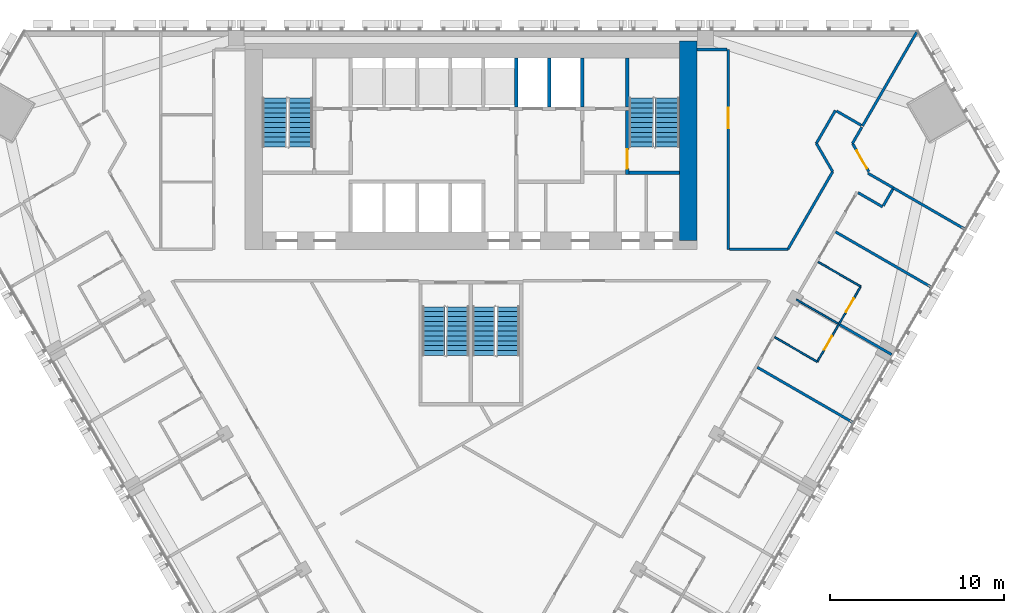
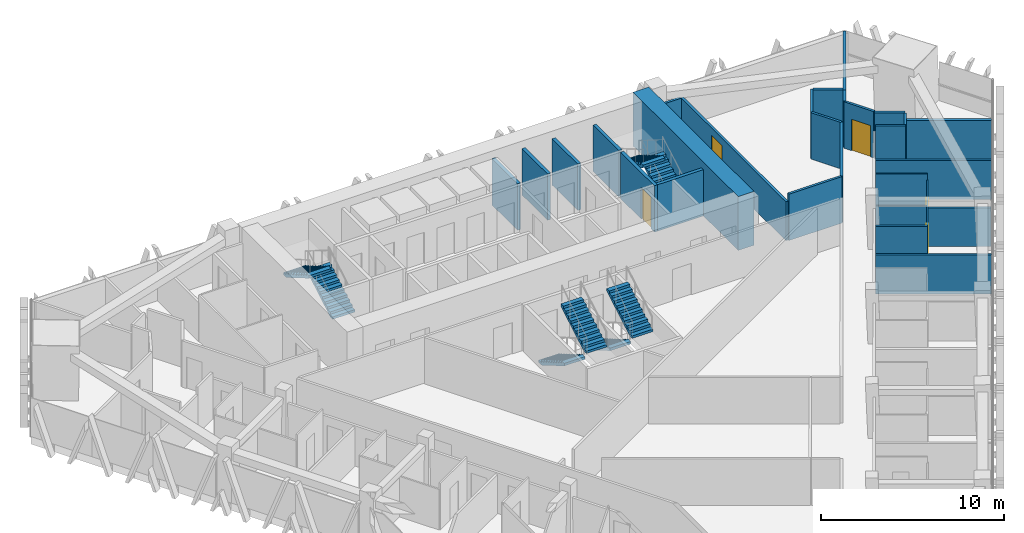
# One storey, part 13 of 17: 28 walls, 8 stair flights, 5 doors, 5 openings, 4 elements without a shape of their own.
"""IFC4 building model written with IfcOpenShell, lengths in metres."""

from ifc_helpers import new_model, si_unit, direction, frame, frame_2d, origin, place, context, subcontext, project, spatial, polyline, rectangle, outline, extrude, material, layer, layer_set, type_object, element, fill, aggregate, save


model = new_model("IFC4")

# Units and contexts
model_context = context("Model", 3, precision=1e-05, world=origin(), true_north=direction((0.0, 1.0)))
body_context = subcontext(model_context, "Body", "Model", "MODEL_VIEW")
ifc_project = project(units=[si_unit("LENGTHUNIT", "METRE"), si_unit("AREAUNIT", "SQUARE_METRE"), si_unit("VOLUMEUNIT", "CUBIC_METRE"), si_unit("PLANEANGLEUNIT", "RADIAN"), si_unit("MASSUNIT", "GRAM", prefix="KILO")], contexts=[model_context])

# Site, building, storey
site_placement = place(None, origin())
site = spatial("IfcSite", under=ifc_project, at=site_placement, CompositionType="ELEMENT")
building_placement = place(site_placement, origin())
building = spatial("IfcBuilding", under=site, at=building_placement, Name="Altiplano Prism Tower", CompositionType="ELEMENT")
storey_placement = place(building_placement, frame((0.0, 0.0, 55.800048828125)))
storey = spatial("IfcBuildingStorey", under=building, at=storey_placement, Name="L13", CompositionType="ELEMENT", Elevation=55.800048828125)

# Walls
ifc_material_1 = material(Name="Concrete C70/85", Category="concrete")
ifc_layer_1 = layer(ifc_material_1, 1.0)
ifc_layer_set_1 = layer_set([ifc_layer_1], Name="Concrete C70/85")
wall_type_1 = type_object("IfcWallType", Name="Core wall 1000", PredefinedType="SHEAR", material=ifc_layer_set_1)
wall_1_placement = place(storey_placement, frame((97.5, 92.89990234375, 0.0), z_axis=(0.0, 0.0, 1.0), x_axis=(0.0, 1.0, 0.0)))
element("IfcWall", 1, at=wall_1_placement, inside=storey, type_object=wall_type_1, Name="Core wall E L13", PredefinedType="SHEAR", context=body_context, shape_type="SweptSolid", body=[
    extrude(rectangle(XDim=11.5, YDim=1.0, at=frame_2d((5.75, 0.0))), origin(), (0.0, 0.0, 1.0), 3.599853515625),
])
ifc_material_2 = material(Name="Plasterboard on steel stud", Category="steel")
ifc_layer_2 = layer(ifc_material_2, 0.10009765625)
ifc_layer_set_2 = layer_set([ifc_layer_2], Name="Plasterboard on steel stud")
wall_type_2 = type_object("IfcWallType", Name="Partition 100 unit", PredefinedType="PARTITIONING", material=ifc_layer_set_2)
for number, where, z_axis, x_axis, name in (
    (2, (104.928955078125, 85.9345703125, 0.0), (0.0, 0.0, 1.0), (-0.866011447264, 0.500024172624, 0.0), "Partition P02 L13 102"),
    (3, (104.982421875, 91.67724609375, 0.0), (0.0, 0.0, 1.0), (0.866048868473, -0.499959355765, 0.0), "Partition P02 L13 105"),
):
    element("IfcWall", number, at=place(storey_placement, frame(where, z_axis=z_axis, x_axis=x_axis)), inside=storey, type_object=wall_type_2, Name=name, PredefinedType="PARTITIONING", context=body_context, shape_type="SweptSolid", body=[
        extrude(rectangle(XDim=2.824951171875, YDim=0.10009765625, at=frame_2d((1.41259765625, 0.0))), origin(), (0.0, 0.0, 1.0), 3.099853515625),
    ])

# Wall, openings, doors
wall_2_placement = place(storey_placement, frame((107.428955078125, 90.264892578125, 0.0), z_axis=(0.0, 0.0, 1.0), x_axis=(-0.499983091616, -0.866035165624, 0.0)))
wall_2 = element("IfcWall", 4, at=wall_2_placement, inside=storey, type_object=wall_type_2, Name="Partition P02 L13 106", PredefinedType="PARTITIONING", context=body_context, shape_type="SweptSolid", body=[
    extrude(rectangle(XDim=5.000244140625, YDim=0.10009765625, at=frame_2d((2.5, 0.0))), origin(), (0.0, 0.0, 1.0), 2.699951171875),
])
opening_1_placement = place(wall_2_placement, frame((3.300048828125, 0.0, 0.0)))
opening_1 = element("IfcOpeningElement", 5, at=opening_1_placement, cuts=wall_2, Name="Opening D0558", PredefinedType="OPENING", context=body_context, shape_type="SweptSolid", body=[
    extrude(rectangle(XDim=0.89990234375, YDim=2.10009765625, at=frame_2d((0.449951171875, 1.050048828125))), frame((0.0, 0.060546875, 0.0), z_axis=(0.0, -1.0, 0.0), x_axis=(1.0, 0.0, 0.0)), (0.0, 0.0, 1.0), 0.12109375),
])
opening_2_placement = place(wall_2_placement, frame((0.800048828125, 0.0, 0.0)))
opening_2 = element("IfcOpeningElement", 6, at=opening_2_placement, cuts=wall_2, Name="Opening D0560", PredefinedType="OPENING", context=body_context, shape_type="SweptSolid", body=[
    extrude(rectangle(XDim=0.89990234375, YDim=2.10009765625, at=frame_2d((0.449951171875, 1.050048828125))), frame((0.0, 0.060546875, 0.0), z_axis=(0.0, -1.0, 0.0), x_axis=(1.0, 0.0, 0.0)), (0.0, 0.0, 1.0), 0.12109375),
])
ifc_material_3 = material(Name="Timber", Category="wood")
door_type_1 = type_object("IfcDoorType", Name="Ensuite door 900 x 2100", OperationType="NOTDEFINED", PredefinedType="NOTDEFINED", material=ifc_material_3)
door_1_placement = place(opening_1_placement, origin())
door_1 = element("IfcDoor", 7, at=door_1_placement, inside=storey, type_object=door_type_1, Name="Door D0558", OperationType="SINGLE_SWING_LEFT", OverallHeight=2.10009765625, OverallWidth=0.89990234375, PredefinedType="NOTDEFINED", context=body_context, shape_type="SweptSolid", body=[
    extrude(rectangle(XDim=0.89990234375, YDim=2.10009765625, at=frame_2d((0.449951171875, 1.050048828125))), frame((0.0, 0.02490234375, 0.0), z_axis=(0.0, -1.0, 0.0), x_axis=(1.0, 0.0, 0.0)), (0.0, 0.0, 1.0), 0.050048828125),
])
fill(opening_1, door_1)
door_2_placement = place(opening_2_placement, origin())
door_2 = element("IfcDoor", 8, at=door_2_placement, inside=storey, type_object=door_type_1, Name="Door D0560", OperationType="SINGLE_SWING_LEFT", OverallHeight=2.10009765625, OverallWidth=0.89990234375, PredefinedType="NOTDEFINED", context=body_context, shape_type="SweptSolid", body=[
    extrude(rectangle(XDim=0.89990234375, YDim=2.10009765625, at=frame_2d((0.449951171875, 1.050048828125))), frame((0.0, 0.02490234375, 0.0), z_axis=(0.0, -1.0, 0.0), x_axis=(1.0, 0.0, 0.0)), (0.0, 0.0, 1.0), 0.050048828125),
])
fill(opening_2, door_2)

# Walls
ifc_layer_3 = layer(ifc_material_2, 0.10009765625)
ifc_layer_set_3 = layer_set([ifc_layer_3], Name="Plasterboard on steel stud")
wall_type_3 = type_object("IfcWallType", Name="Partition 100 wet", PredefinedType="PARTITIONING", material=ifc_layer_set_3)
wall_3_placement = place(storey_placement, frame((106.1357421875, 88.124755859375, 0.0), z_axis=(0.0, 0.0, 1.0), x_axis=(-0.866042014628, 0.499971228071, 0.0)))
element("IfcWall", 9, at=wall_3_placement, inside=storey, type_object=wall_type_3, Name="Partition P03 L13 104", PredefinedType="PARTITIONING", context=body_context, shape_type="SweptSolid", body=[
    extrude(rectangle(XDim=2.775146484375, YDim=0.10009765625, at=frame_2d((1.3876953125, 0.0))), origin(), (0.0, 0.0, 1.0), 2.699951171875),
])
ifc_layer_4 = layer(ifc_material_2, 0.14990234375)
ifc_layer_set_4 = layer_set([ifc_layer_4], Name="Plasterboard on steel stud")
wall_type_4 = type_object("IfcWallType", Name="Partition 150 corridor", PredefinedType="PARTITIONING", material=ifc_layer_set_4)
wall_4_placement = place(storey_placement, frame((107.282470703125, 95.660888671875, 0.0), z_axis=(0.0, 0.0, 1.0), x_axis=(0.866015446554, -0.500017246033, 0.0)))
element("IfcWall", 10, at=wall_4_placement, inside=storey, type_object=wall_type_4, Name="Partition P06 L13 023", PredefinedType="PARTITIONING", context=body_context, shape_type="SweptSolid", body=[
    extrude(rectangle(XDim=1.625, YDim=0.14990234375, at=frame_2d((0.8125, 0.0))), origin(), (0.0, 0.0, 1.0), 3.099853515625),
])
wall_5_placement = place(storey_placement, frame((108.727294921875, 94.913330078125, 0.0), z_axis=(0.0, 0.0, 1.0), x_axis=(0.499990325971, 0.866030989016, 0.0)))
element("IfcWall", 11, at=wall_5_placement, inside=storey, type_object=wall_type_4, Name="Partition P06 L13 024", PredefinedType="PARTITIONING", context=body_context, shape_type="SweptSolid", body=[
    extrude(rectangle(XDim=1.1044921875, YDim=0.14990234375, at=frame_2d((0.55224609375, 0.0))), origin(), (0.0, 0.0, 1.0), 3.099853515625),
])
wall_6_placement = place(storey_placement, frame((109.299560546875, 95.94482421875, 0.0), z_axis=(0.0, 0.0, 1.0), x_axis=(-0.865989548921, 0.500062097304, 0.0)))
element("IfcWall", 12, at=wall_6_placement, inside=storey, type_object=wall_type_4, Name="Partition P06 L13 025", PredefinedType="PARTITIONING", context=body_context, shape_type="SweptSolid", body=[
    extrude(rectangle(XDim=1.679931640625, YDim=0.14990234375, at=frame_2d((0.83984375, 0.0))), origin(), (0.0, 0.0, 1.0), 3.099853515625),
])

# Wall, opening, door
wall_7_placement = place(storey_placement, frame((107.8955078125, 96.873046875, 0.0), z_axis=(0.0, 0.0, 1.0), x_axis=(-0.499954949392, 0.866051412203, 0.0)))
wall_7 = element("IfcWall", 13, at=wall_7_placement, inside=storey, type_object=wall_type_4, Name="Partition P06 L13 026", PredefinedType="PARTITIONING", context=body_context, shape_type="SweptSolid", body=[
    extrude(rectangle(XDim=1.878662109375, YDim=0.14990234375, at=frame_2d((0.939453125, 0.0))), origin(), (0.0, 0.0, 1.0), 3.099853515625),
])
opening_3_placement = place(wall_7_placement, frame((0.199951171875, 0.0, 0.0)))
opening_3 = element("IfcOpeningElement", 14, at=opening_3_placement, cuts=wall_7, Name="Opening D0562", PredefinedType="OPENING", context=body_context, shape_type="SweptSolid", body=[
    extrude(rectangle(XDim=1.199951171875, YDim=2.10009765625, at=frame_2d((0.60009765625, 1.050048828125))), frame((0.0, 0.08544921875, 0.0), z_axis=(0.0, -1.0, 0.0), x_axis=(1.0, 0.0, 0.0)), (0.0, 0.0, 1.0), 0.1708984375),
])
door_type_2 = type_object("IfcDoorType", Name="Shared room door 1200 x 2100", OperationType="NOTDEFINED", PredefinedType="NOTDEFINED", material=ifc_material_3)
door_3_placement = place(opening_3_placement, origin())
door_3 = element("IfcDoor", 15, at=door_3_placement, inside=storey, type_object=door_type_2, Name="Door D0562", OperationType="SINGLE_SWING_LEFT", OverallHeight=2.10009765625, OverallWidth=1.199951171875, PredefinedType="NOTDEFINED", context=body_context, shape_type="SweptSolid", body=[
    extrude(rectangle(XDim=1.199951171875, YDim=2.10009765625, at=frame_2d((0.60009765625, 1.050048828125))), frame((0.0, 0.02490234375, 0.0), z_axis=(0.0, -1.0, 0.0), x_axis=(1.0, 0.0, 0.0)), (0.0, 0.0, 1.0), 0.050048828125),
])
fill(opening_3, door_3)

# Walls
wall_8_placement = place(storey_placement, frame((106.956298828125, 98.5, 0.0), z_axis=(0.0, 0.0, 1.0), x_axis=(0.499957341738, 0.866050031143, 0.0)))
element("IfcWall", 16, at=wall_8_placement, inside=storey, type_object=wall_type_4, Name="Partition P06 L13 027", PredefinedType="PARTITIONING", context=body_context, shape_type="SweptSolid", body=[
    extrude(rectangle(XDim=1.07958984375, YDim=0.14990234375, at=frame_2d((0.539794921875, 0.0))), origin(), (0.0, 0.0, 1.0), 3.099853515625),
])
wall_9_placement = place(storey_placement, frame((107.468505859375, 99.53759765625, 0.0), z_axis=(0.0, 0.0, 1.0), x_axis=(-0.866040211805, 0.499974350878, 0.0)))
element("IfcWall", 17, at=wall_9_placement, inside=storey, type_object=wall_type_4, Name="Partition P06 L13 032", PredefinedType="PARTITIONING", context=body_context, shape_type="SweptSolid", body=[
    extrude(rectangle(XDim=1.64990234375, YDim=0.14990234375, at=frame_2d((0.824951171875, 0.0))), origin(), (0.0, 0.0, 1.0), 3.099853515625),
])
wall_10_placement = place(storey_placement, frame((105.974609375, 100.39990234375, 0.0), z_axis=(0.0, 0.0, 1.0), x_axis=(-0.500005024956, -0.866022502605, 0.0)))
element("IfcWall", 18, at=wall_10_placement, inside=storey, type_object=wall_type_4, Name="Partition P06 L13 033", PredefinedType="PARTITIONING", context=body_context, shape_type="SweptSolid", body=[
    extrude(rectangle(XDim=2.19384765625, YDim=0.14990234375, at=frame_2d((1.096923828125, 0.0))), origin(), (0.0, 0.0, 1.0), 3.099853515625),
])
wall_11_placement = place(storey_placement, frame((104.877685546875, 98.5, 0.0), z_axis=(0.0, 0.0, 1.0), x_axis=(0.500052415518, -0.865995139556, 0.0)))
element("IfcWall", 19, at=wall_11_placement, inside=storey, type_object=wall_type_4, Name="Partition P06 L13 034", PredefinedType="PARTITIONING", context=body_context, shape_type="SweptSolid", body=[
    extrude(rectangle(XDim=1.878662109375, YDim=0.14990234375, at=frame_2d((0.939453125, 0.0))), origin(), (0.0, 0.0, 1.0), 3.099853515625),
])
wall_12_placement = place(storey_placement, frame((105.817138671875, 96.873046875, 0.0), z_axis=(0.0, 0.0, 1.0), x_axis=(-0.499992497538, -0.86602973529, 0.0)))
element("IfcWall", 20, at=wall_12_placement, inside=storey, type_object=wall_type_4, Name="Partition P06 L13 035", PredefinedType="PARTITIONING", context=body_context, shape_type="SweptSolid", body=[
    extrude(rectangle(XDim=5.1650390625, YDim=0.14990234375, at=frame_2d((2.58251953125, 0.0))), origin(), (0.0, 0.0, 1.0), 3.099853515625),
])
wall_13_placement = place(storey_placement, frame((103.234619140625, 92.39990234375, 0.0), z_axis=(0.0, 0.0, 1.0), x_axis=(-1.0, 0.0, 0.0)))
element("IfcWall", 21, at=wall_13_placement, inside=storey, type_object=wall_type_4, Name="Partition P06 L13 036", PredefinedType="PARTITIONING", context=body_context, shape_type="SweptSolid", body=[
    extrude(rectangle(XDim=3.359619140625, YDim=0.14990234375, at=frame_2d((1.6796875, 0.0))), origin(), (0.0, 0.0, 1.0), 3.099853515625),
])

# Wall, opening, door
wall_14_placement = place(storey_placement, frame((99.800048828125, 92.39990234375, 0.0), z_axis=(0.0, 0.0, 1.0), x_axis=(0.0, 1.0, 0.0)))
wall_14 = element("IfcWall", 22, at=wall_14_placement, inside=storey, type_object=wall_type_4, Name="Partition P06 L13 037", PredefinedType="PARTITIONING", context=body_context, shape_type="SweptSolid", body=[
    extrude(rectangle(XDim=11.5, YDim=0.14990234375, at=frame_2d((5.75, 0.0))), origin(), (0.0, 0.0, 1.0), 2.599853515625),
])
opening_4_placement = place(wall_14_placement, frame((6.964111328125, 0.0, 0.0)))
opening_4 = element("IfcOpeningElement", 23, at=opening_4_placement, cuts=wall_14, Name="Opening D0566", PredefinedType="OPENING", context=body_context, shape_type="SweptSolid", body=[
    extrude(rectangle(XDim=1.199951171875, YDim=2.10009765625, at=frame_2d((0.60009765625, 1.050048828125))), frame((0.0, 0.08544921875, 0.0), z_axis=(0.0, -1.0, 0.0), x_axis=(1.0, 0.0, 0.0)), (0.0, 0.0, 1.0), 0.1708984375),
])
door_4_placement = place(opening_4_placement, origin())
door_4 = element("IfcDoor", 24, at=door_4_placement, inside=storey, type_object=door_type_2, Name="Door D0566", OperationType="SINGLE_SWING_RIGHT", OverallHeight=2.10009765625, OverallWidth=1.199951171875, PredefinedType="NOTDEFINED", context=body_context, shape_type="SweptSolid", body=[
    extrude(rectangle(XDim=1.199951171875, YDim=2.10009765625, at=frame_2d((0.60009765625, 1.050048828125))), frame((0.0, 0.02490234375, 0.0), z_axis=(0.0, -1.0, 0.0), x_axis=(1.0, 0.0, 0.0)), (0.0, 0.0, 1.0), 0.050048828125),
])
fill(opening_4, door_4)

# Walls
wall_15_placement = place(storey_placement, frame((99.72509765625, 103.89990234375, 0.0), z_axis=(0.0, 0.0, 1.0), x_axis=(-1.0, 0.0, 0.0)))
element("IfcWall", 25, at=wall_15_placement, inside=storey, type_object=wall_type_4, Name="Partition P06 L13 038", PredefinedType="PARTITIONING", context=body_context, shape_type="SweptSolid", body=[
    extrude(rectangle(XDim=1.72509765625, YDim=0.14990234375, at=frame_2d((0.862548828125, 0.0))), origin(), (0.0, 0.0, 1.0), 2.599853515625),
])
ifc_layer_5 = layer(ifc_material_2, 0.14990234375)
ifc_layer_set_5 = layer_set([ifc_layer_5], Name="Plasterboard on steel stud")
wall_type_5 = type_object("IfcWallType", Name="Partition 150 party", PredefinedType="PARTITIONING", material=ifc_layer_set_5)
wall_16_placement = place(storey_placement, frame((106.9775390625, 82.4423828125, 0.0), z_axis=(0.0, 0.0, 1.0), x_axis=(-0.866025401434, 0.500000004071, 0.0)))
element("IfcWall", 26, at=wall_16_placement, inside=storey, type_object=wall_type_5, Name="Partition P01 L13 101", PredefinedType="PARTITIONING", context=body_context, shape_type="SweptSolid", body=[
    extrude(rectangle(XDim=6.34521484375, YDim=0.14990234375, at=frame_2d((3.172607421875, 0.0))), origin(), (0.0, 0.0, 1.0), 2.599853515625),
])
wall_17_placement = place(storey_placement, frame((109.2099609375, 86.349609375, 0.0), z_axis=(0.0, 0.0, 1.0), x_axis=(-0.866013532718, 0.500020560727, 0.0)))
element("IfcWall", 27, at=wall_17_placement, inside=storey, type_object=wall_type_5, Name="Partition P01 L13 103", PredefinedType="PARTITIONING", context=body_context, shape_type="SweptSolid", body=[
    extrude(rectangle(XDim=3.449951171875, YDim=0.14990234375, at=frame_2d((1.72509765625, 0.0))), origin(), (0.0, 0.0, 1.0), 2.599853515625),
])
wall_18_placement = place(storey_placement, frame((111.4775390625, 90.23681640625, 0.0), z_axis=(0.0, 0.0, 1.0), x_axis=(-0.866025401434, 0.500000004071, 0.0)))
element("IfcWall", 28, at=wall_18_placement, inside=storey, type_object=wall_type_5, Name="Partition P01 L13 107", PredefinedType="PARTITIONING", context=body_context, shape_type="SweptSolid", body=[
    extrude(rectangle(XDim=6.34521484375, YDim=0.14990234375, at=frame_2d((3.172607421875, 0.0))), origin(), (0.0, 0.0, 1.0), 2.599853515625),
])
wall_19_placement = place(storey_placement, frame((113.40478515625, 93.57470703125, 0.0), z_axis=(0.0, 0.0, 1.0), x_axis=(-0.866028632512, 0.499994407638, 0.0)))
element("IfcWall", 29, at=wall_19_placement, inside=storey, type_object=wall_type_5, Name="Partition P01 L13 108", PredefinedType="PARTITIONING", context=body_context, shape_type="SweptSolid", body=[
    extrude(rectangle(XDim=4.740234375, YDim=0.14990234375, at=frame_2d((2.3701171875, 0.0))), origin(), (0.0, 0.0, 1.0), 2.599853515625),
])
wall_20_placement = place(storey_placement, frame((110.6513671875, 104.89990234375, 0.0), z_axis=(0.0, 0.0, 1.0), x_axis=(-0.500034261589, -0.866005621943, 0.0)))
element("IfcWall", 30, at=wall_20_placement, inside=storey, type_object=wall_type_5, Name="Partition P01 L13 109", PredefinedType="PARTITIONING", context=body_context, shape_type="SweptSolid", body=[
    extrude(rectangle(XDim=6.2353515625, YDim=0.14990234375, at=frame_2d((3.11767578125, 0.0))), origin(), (0.0, 0.0, 1.0), 2.599853515625),
])
ifc_material_4 = material(Name="Concrete C60/75", Category="concrete")
ifc_layer_6 = layer(ifc_material_4, 0.199951171875)
ifc_layer_set_6 = layer_set([ifc_layer_6], Name="Concrete C60/75")
wall_type_6 = type_object("IfcWallType", Name="Shaft wall 200", PredefinedType="SOLIDWALL", material=ifc_layer_set_6)
for number, where, z_axis, x_axis, name in (
    (31, (87.60009765625, 100.60009765625, 0.0), (0.0, 0.0, 1.0), (0.0, 1.0, 0.0), "Shaft wall L13"),
    (32, (89.5, 100.60009765625, 0.0), (0.0, 0.0, 1.0), (0.0, 1.0, 0.0), "Shaft wall L13"),
    (33, (91.39990234375, 100.60009765625, 0.0), (0.0, 0.0, 1.0), (0.0, 1.0, 0.0), "Shaft wall L13"),
):
    element("IfcWall", number, at=place(storey_placement, frame(where, z_axis=z_axis, x_axis=x_axis)), inside=storey, type_object=wall_type_6, Name=name, PredefinedType="SOLIDWALL", context=body_context, shape_type="SweptSolid", body=[
        extrude(rectangle(XDim=2.7998046875, YDim=0.199951171875, at=frame_2d((1.39990234375, 0.0))), origin(), (0.0, 0.0, 1.0), 3.099853515625),
    ])

# Wall, opening, door
ifc_layer_7 = layer(ifc_material_4, 0.199951171875)
ifc_layer_set_7 = layer_set([ifc_layer_7], Name="Concrete C60/75")
wall_type_7 = type_object("IfcWallType", Name="Stair wall 200", PredefinedType="SOLIDWALL", material=ifc_layer_set_7)
wall_21_placement = place(storey_placement, frame((94.0, 96.699951171875, 0.0), z_axis=(0.0, 0.0, 1.0), x_axis=(0.0, 1.0, 0.0)))
wall_21 = element("IfcWall", 34, at=wall_21_placement, inside=storey, type_object=wall_type_7, Name="Stair wall L13", PredefinedType="SOLIDWALL", context=body_context, shape_type="SweptSolid", body=[
    extrude(rectangle(XDim=3.699951171875, YDim=0.199951171875, at=frame_2d((1.85009765625, 0.0))), origin(), (0.0, 0.0, 1.0), 3.099853515625),
])
opening_5_placement = place(wall_21_placement, frame((0.35009765625, 0.0, 0.0)))
opening_5 = element("IfcOpeningElement", 35, at=opening_5_placement, cuts=wall_21, Name="Opening D2761", PredefinedType="OPENING", context=body_context, shape_type="SweptSolid", body=[
    extrude(rectangle(XDim=1.10009765625, YDim=2.10009765625, at=frame_2d((0.550048828125, 1.050048828125))), frame((0.0, 0.1103515625, 0.0), z_axis=(0.0, -1.0, 0.0), x_axis=(1.0, 0.0, 0.0)), (0.0, 0.0, 1.0), 0.220947265625),
])
ifc_material_5 = material(Name="Fire-rated steel door", Category="steel")
door_type_3 = type_object("IfcDoorType", Name="Stair fire door 1100 x 2100", OperationType="NOTDEFINED", PredefinedType="NOTDEFINED", material=ifc_material_5)
door_5_placement = place(opening_5_placement, origin())
door_5 = element("IfcDoor", 36, at=door_5_placement, inside=storey, type_object=door_type_3, Name="Stair fire door D2761", OperationType="SINGLE_SWING_LEFT", OverallHeight=2.10009765625, OverallWidth=1.10009765625, PredefinedType="NOTDEFINED", context=body_context, shape_type="SweptSolid", body=[
    extrude(rectangle(XDim=1.10009765625, YDim=2.10009765625, at=frame_2d((0.550048828125, 1.050048828125))), frame((0.0, 0.02490234375, 0.0), z_axis=(0.0, -1.0, 0.0), x_axis=(1.0, 0.0, 0.0)), (0.0, 0.0, 1.0), 0.050048828125),
])
fill(opening_5, door_5)

# Walls
wall_22_placement = place(storey_placement, frame((94.10009765625, 96.800048828125, 0.0), z_axis=(0.0, 0.0, 1.0), x_axis=(1.0, 0.0, 0.0)))
element("IfcWall", 37, at=wall_22_placement, inside=storey, type_object=wall_type_7, Name="Stair wall L13", PredefinedType="SOLIDWALL", context=body_context, shape_type="SweptSolid", body=[
    extrude(rectangle(XDim=2.89990234375, YDim=0.199951171875, at=frame_2d((1.449951171875, 0.0))), origin(), (0.0, 0.0, 1.0), 3.099853515625),
])
wall_23_placement = place(storey_placement, frame((94.0, 100.60009765625, 0.0), z_axis=(0.0, 0.0, 1.0), x_axis=(0.0, 1.0, 0.0)))
element("IfcWall", 38, at=wall_23_placement, inside=storey, type_object=wall_type_7, Name="Stair wall L13", PredefinedType="SOLIDWALL", context=body_context, shape_type="SweptSolid", body=[
    extrude(rectangle(XDim=2.7998046875, YDim=0.199951171875, at=frame_2d((1.39990234375, 0.0))), origin(), (0.0, 0.0, 1.0), 3.099853515625),
])

# Stair, stair flights
ifc_material_6 = material(Name="Concrete C40/50", Category="concrete")
stair_type_1 = type_object("IfcStairType", Name="Exit stair 1400", PredefinedType="HALF_TURN_STAIR", material=ifc_material_6)
stair_1_placement = place(storey_placement, origin())
stair_1 = element("IfcStair", 39, at=stair_1_placement, inside=storey, type_object=stair_type_1, Name="L13 Exit Stair 1", PredefinedType="HALF_TURN_STAIR")
stair_flight_type = type_object("IfcStairFlightType", Name="Stair flight concrete 150", PredefinedType="STRAIGHT", material=ifc_material_6)
stair_flight_1_placement = place(storey_placement, frame((75.199951171875, 98.300048828125, 0.0), z_axis=(0.0, 0.0, 1.0), x_axis=(0.0, 1.0, 0.0)))
stair_flight_1 = element("IfcStairFlight", 40, at=stair_flight_1_placement, type_object=stair_flight_type, Name="ST1 flight 1", NumberOfRisers=11, NumberOfTreads=10, PredefinedType="STRAIGHT", RiserHeight=0.163636364, TreadLength=0.28, context=body_context, shape_type="SweptSolid", body=[
    extrude(outline(polyline([(0.0, 0.0), (0.0, 0.16357421875), (0.280029296875, 0.16357421875), (0.280029296875, 0.327392578125), (0.56005859375, 0.327392578125), (0.56005859375, 0.490966796875), (0.840087890625, 0.490966796875), (0.840087890625, 0.654541015625), (1.1201171875, 0.654541015625), (1.1201171875, 0.818115234375), (1.39990234375, 0.818115234375), (1.39990234375, 0.98193359375), (1.679931640625, 0.98193359375), (1.679931640625, 1.1455078125), (1.9599609375, 1.1455078125), (1.9599609375, 1.30908203125), (2.239990234375, 1.30908203125), (2.239990234375, 1.47265625), (2.52001953125, 1.47265625), (2.52001953125, 1.636474609375), (2.800048828125, 1.636474609375), (2.800048828125, 1.800048828125), (2.800048828125, 1.462646484375), (0.297119140625, 0.0), (0.0, 0.0)])), frame((0.0, 0.699951171875, 0.0), z_axis=(0.0, -1.0, 0.0), x_axis=(1.0, 0.0, 0.0)), (0.0, 0.0, 1.0), 1.39990234375),
])
stair_flight_2_placement = place(storey_placement, frame((73.699951171875, 101.10009765625, 1.800048828125), z_axis=(0.0, 0.0, 1.0), x_axis=(0.0, -1.0, 0.0)))
stair_flight_2 = element("IfcStairFlight", 41, at=stair_flight_2_placement, type_object=stair_flight_type, Name="ST1 flight 2", NumberOfRisers=11, NumberOfTreads=10, PredefinedType="STRAIGHT", RiserHeight=0.163636364, TreadLength=0.28, context=body_context, shape_type="SweptSolid", body=[
    extrude(outline(polyline([(0.0, 0.0), (0.0, 0.16357421875), (0.280029296875, 0.16357421875), (0.280029296875, 0.327392578125), (0.56005859375, 0.327392578125), (0.56005859375, 0.490966796875), (0.840087890625, 0.490966796875), (0.840087890625, 0.654541015625), (1.1201171875, 0.654541015625), (1.1201171875, 0.818115234375), (1.39990234375, 0.818115234375), (1.39990234375, 0.98193359375), (1.679931640625, 0.98193359375), (1.679931640625, 1.1455078125), (1.9599609375, 1.1455078125), (1.9599609375, 1.30908203125), (2.239990234375, 1.30908203125), (2.239990234375, 1.47265625), (2.52001953125, 1.47265625), (2.52001953125, 1.636474609375), (2.800048828125, 1.636474609375), (2.800048828125, 1.800048828125), (2.800048828125, 1.462646484375), (0.297119140625, 0.0), (0.0, 0.0)])), frame((0.0, 0.699951171875, 0.0), z_axis=(0.0, -1.0, 0.0), x_axis=(1.0, 0.0, 0.0)), (0.0, 0.0, 1.0), 1.39990234375),
])
aggregate(stair_1, [stair_flight_1, stair_flight_2])

stair_2_placement = place(storey_placement, origin())
stair_2 = element("IfcStair", 42, at=stair_2_placement, inside=storey, type_object=stair_type_1, Name="L13 Exit Stair 2", PredefinedType="HALF_TURN_STAIR")
stair_flight_3_placement = place(storey_placement, frame((96.300048828125, 98.300048828125, 0.0), z_axis=(0.0, 0.0, 1.0), x_axis=(0.0, 1.0, 0.0)))
stair_flight_3 = element("IfcStairFlight", 43, at=stair_flight_3_placement, type_object=stair_flight_type, Name="ST2 flight 1", NumberOfRisers=11, NumberOfTreads=10, PredefinedType="STRAIGHT", RiserHeight=0.163636364, TreadLength=0.28, context=body_context, shape_type="SweptSolid", body=[
    extrude(outline(polyline([(0.0, 0.0), (0.0, 0.16357421875), (0.280029296875, 0.16357421875), (0.280029296875, 0.327392578125), (0.56005859375, 0.327392578125), (0.56005859375, 0.490966796875), (0.840087890625, 0.490966796875), (0.840087890625, 0.654541015625), (1.1201171875, 0.654541015625), (1.1201171875, 0.818115234375), (1.39990234375, 0.818115234375), (1.39990234375, 0.98193359375), (1.679931640625, 0.98193359375), (1.679931640625, 1.1455078125), (1.9599609375, 1.1455078125), (1.9599609375, 1.30908203125), (2.239990234375, 1.30908203125), (2.239990234375, 1.47265625), (2.52001953125, 1.47265625), (2.52001953125, 1.636474609375), (2.800048828125, 1.636474609375), (2.800048828125, 1.800048828125), (2.800048828125, 1.462646484375), (0.297119140625, 0.0), (0.0, 0.0)])), frame((0.0, 0.699951171875, 0.0), z_axis=(0.0, -1.0, 0.0), x_axis=(1.0, 0.0, 0.0)), (0.0, 0.0, 1.0), 1.39990234375),
])
stair_flight_4_placement = place(storey_placement, frame((94.800048828125, 101.10009765625, 1.800048828125), z_axis=(0.0, 0.0, 1.0), x_axis=(0.0, -1.0, 0.0)))
stair_flight_4 = element("IfcStairFlight", 44, at=stair_flight_4_placement, type_object=stair_flight_type, Name="ST2 flight 2", NumberOfRisers=11, NumberOfTreads=10, PredefinedType="STRAIGHT", RiserHeight=0.163636364, TreadLength=0.28, context=body_context, shape_type="SweptSolid", body=[
    extrude(outline(polyline([(0.0, 0.0), (0.0, 0.16357421875), (0.280029296875, 0.16357421875), (0.280029296875, 0.327392578125), (0.56005859375, 0.327392578125), (0.56005859375, 0.490966796875), (0.840087890625, 0.490966796875), (0.840087890625, 0.654541015625), (1.1201171875, 0.654541015625), (1.1201171875, 0.818115234375), (1.39990234375, 0.818115234375), (1.39990234375, 0.98193359375), (1.679931640625, 0.98193359375), (1.679931640625, 1.1455078125), (1.9599609375, 1.1455078125), (1.9599609375, 1.30908203125), (2.239990234375, 1.30908203125), (2.239990234375, 1.47265625), (2.52001953125, 1.47265625), (2.52001953125, 1.636474609375), (2.800048828125, 1.636474609375), (2.800048828125, 1.800048828125), (2.800048828125, 1.462646484375), (0.297119140625, 0.0), (0.0, 0.0)])), frame((0.0, 0.699951171875, 0.0), z_axis=(0.0, -1.0, 0.0), x_axis=(1.0, 0.0, 0.0)), (0.0, 0.0, 1.0), 1.39990234375),
])
aggregate(stair_2, [stair_flight_3, stair_flight_4])

stair_type_2 = type_object("IfcStairType", Name="Exit stair 1300", PredefinedType="HALF_TURN_STAIR", material=ifc_material_6)
stair_3_placement = place(storey_placement, origin())
stair_3 = element("IfcStair", 45, at=stair_3_placement, inside=storey, type_object=stair_type_2, Name="L13 Exit Stair 3A", PredefinedType="HALF_TURN_STAIR")
stair_flight_5_placement = place(storey_placement, frame((82.85009765625, 89.10009765625, 0.0), z_axis=(0.0, 0.0, 1.0), x_axis=(0.0, -1.0, 0.0)))
stair_flight_5 = element("IfcStairFlight", 46, at=stair_flight_5_placement, type_object=stair_flight_type, Name="ST3A flight 1", NumberOfRisers=11, NumberOfTreads=10, PredefinedType="STRAIGHT", RiserHeight=0.163636364, TreadLength=0.28, context=body_context, shape_type="SweptSolid", body=[
    extrude(outline(polyline([(0.0, 0.0), (0.0, 0.16357421875), (0.280029296875, 0.16357421875), (0.280029296875, 0.327392578125), (0.56005859375, 0.327392578125), (0.56005859375, 0.490966796875), (0.840087890625, 0.490966796875), (0.840087890625, 0.654541015625), (1.1201171875, 0.654541015625), (1.1201171875, 0.818115234375), (1.39990234375, 0.818115234375), (1.39990234375, 0.98193359375), (1.679931640625, 0.98193359375), (1.679931640625, 1.1455078125), (1.9599609375, 1.1455078125), (1.9599609375, 1.30908203125), (2.239990234375, 1.30908203125), (2.239990234375, 1.47265625), (2.52001953125, 1.47265625), (2.52001953125, 1.636474609375), (2.800048828125, 1.636474609375), (2.800048828125, 1.800048828125), (2.800048828125, 1.462646484375), (0.297119140625, 0.0), (0.0, 0.0)])), frame((0.0, 0.64990234375, 0.0), z_axis=(0.0, -1.0, 0.0), x_axis=(1.0, 0.0, 0.0)), (0.0, 0.0, 1.0), 1.300048828125),
])
stair_flight_6_placement = place(storey_placement, frame((84.25, 86.300048828125, 1.800048828125), z_axis=(0.0, 0.0, 1.0), x_axis=(0.0, 1.0, 0.0)))
stair_flight_6 = element("IfcStairFlight", 47, at=stair_flight_6_placement, type_object=stair_flight_type, Name="ST3A flight 2", NumberOfRisers=11, NumberOfTreads=10, PredefinedType="STRAIGHT", RiserHeight=0.163636364, TreadLength=0.28, context=body_context, shape_type="SweptSolid", body=[
    extrude(outline(polyline([(0.0, 0.0), (0.0, 0.16357421875), (0.280029296875, 0.16357421875), (0.280029296875, 0.327392578125), (0.56005859375, 0.327392578125), (0.56005859375, 0.490966796875), (0.840087890625, 0.490966796875), (0.840087890625, 0.654541015625), (1.1201171875, 0.654541015625), (1.1201171875, 0.818115234375), (1.39990234375, 0.818115234375), (1.39990234375, 0.98193359375), (1.679931640625, 0.98193359375), (1.679931640625, 1.1455078125), (1.9599609375, 1.1455078125), (1.9599609375, 1.30908203125), (2.239990234375, 1.30908203125), (2.239990234375, 1.47265625), (2.52001953125, 1.47265625), (2.52001953125, 1.636474609375), (2.800048828125, 1.636474609375), (2.800048828125, 1.800048828125), (2.800048828125, 1.462646484375), (0.297119140625, 0.0), (0.0, 0.0)])), frame((0.0, 0.64990234375, 0.0), z_axis=(0.0, -1.0, 0.0), x_axis=(1.0, 0.0, 0.0)), (0.0, 0.0, 1.0), 1.300048828125),
])
aggregate(stair_3, [stair_flight_5, stair_flight_6])

stair_4_placement = place(storey_placement, origin())
stair_4 = element("IfcStair", 48, at=stair_4_placement, inside=storey, type_object=stair_type_2, Name="L13 Exit Stair 3B", PredefinedType="HALF_TURN_STAIR")
stair_flight_7_placement = place(storey_placement, frame((85.75, 89.10009765625, 0.0), z_axis=(0.0, 0.0, 1.0), x_axis=(0.0, -1.0, 0.0)))
stair_flight_7 = element("IfcStairFlight", 49, at=stair_flight_7_placement, type_object=stair_flight_type, Name="ST3B flight 1", NumberOfRisers=11, NumberOfTreads=10, PredefinedType="STRAIGHT", RiserHeight=0.163636364, TreadLength=0.28, context=body_context, shape_type="SweptSolid", body=[
    extrude(outline(polyline([(0.0, 0.0), (0.0, 0.16357421875), (0.280029296875, 0.16357421875), (0.280029296875, 0.327392578125), (0.56005859375, 0.327392578125), (0.56005859375, 0.490966796875), (0.840087890625, 0.490966796875), (0.840087890625, 0.654541015625), (1.1201171875, 0.654541015625), (1.1201171875, 0.818115234375), (1.39990234375, 0.818115234375), (1.39990234375, 0.98193359375), (1.679931640625, 0.98193359375), (1.679931640625, 1.1455078125), (1.9599609375, 1.1455078125), (1.9599609375, 1.30908203125), (2.239990234375, 1.30908203125), (2.239990234375, 1.47265625), (2.52001953125, 1.47265625), (2.52001953125, 1.636474609375), (2.800048828125, 1.636474609375), (2.800048828125, 1.800048828125), (2.800048828125, 1.462646484375), (0.297119140625, 0.0), (0.0, 0.0)])), frame((0.0, 0.64990234375, 0.0), z_axis=(0.0, -1.0, 0.0), x_axis=(1.0, 0.0, 0.0)), (0.0, 0.0, 1.0), 1.300048828125),
])
stair_flight_8_placement = place(storey_placement, frame((87.14990234375, 86.300048828125, 1.800048828125), z_axis=(0.0, 0.0, 1.0), x_axis=(0.0, 1.0, 0.0)))
stair_flight_8 = element("IfcStairFlight", 50, at=stair_flight_8_placement, type_object=stair_flight_type, Name="ST3B flight 2", NumberOfRisers=11, NumberOfTreads=10, PredefinedType="STRAIGHT", RiserHeight=0.163636364, TreadLength=0.28, context=body_context, shape_type="SweptSolid", body=[
    extrude(outline(polyline([(0.0, 0.0), (0.0, 0.16357421875), (0.280029296875, 0.16357421875), (0.280029296875, 0.327392578125), (0.56005859375, 0.327392578125), (0.56005859375, 0.490966796875), (0.840087890625, 0.490966796875), (0.840087890625, 0.654541015625), (1.1201171875, 0.654541015625), (1.1201171875, 0.818115234375), (1.39990234375, 0.818115234375), (1.39990234375, 0.98193359375), (1.679931640625, 0.98193359375), (1.679931640625, 1.1455078125), (1.9599609375, 1.1455078125), (1.9599609375, 1.30908203125), (2.239990234375, 1.30908203125), (2.239990234375, 1.47265625), (2.52001953125, 1.47265625), (2.52001953125, 1.636474609375), (2.800048828125, 1.636474609375), (2.800048828125, 1.800048828125), (2.800048828125, 1.462646484375), (0.297119140625, 0.0), (0.0, 0.0)])), frame((0.0, 0.64990234375, 0.0), z_axis=(0.0, -1.0, 0.0), x_axis=(1.0, 0.0, 0.0)), (0.0, 0.0, 1.0), 1.300048828125),
])
aggregate(stair_4, [stair_flight_7, stair_flight_8])

save(model, "model.ifc")
